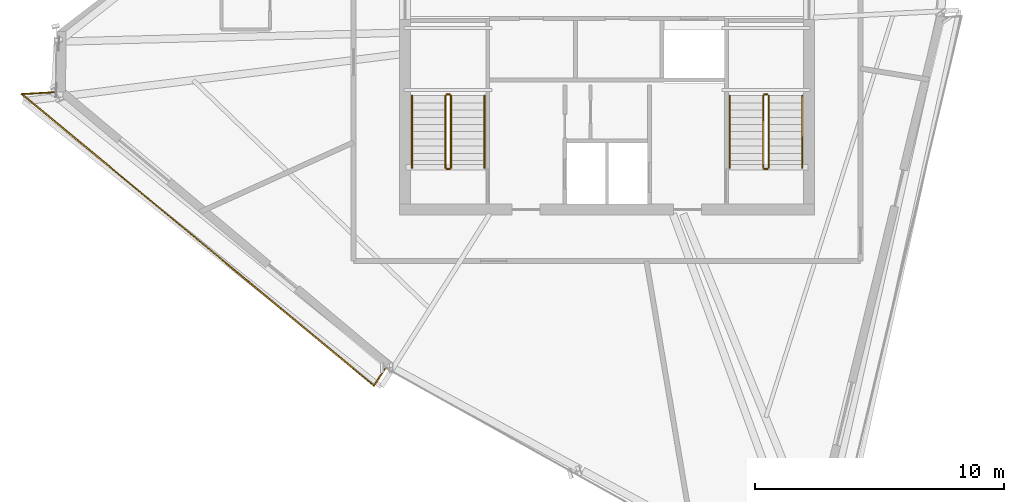
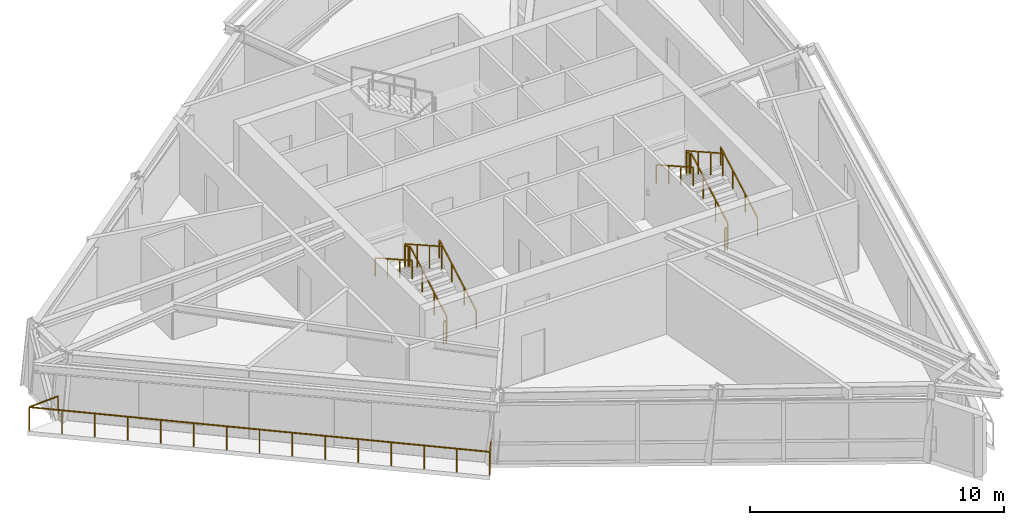
# One storey, part 11 of 13: 13 railings.
"""IFC4 building model written with IfcOpenShell, lengths in metres."""

from ifc_helpers import new_model, si_unit, direction, frame, origin, origin_2d, place, context, subcontext, project, spatial, rectangle, extrude, material, type_object, element, save


model = new_model("IFC4")

# Units and contexts
model_context = context("Model", 3, precision=1e-05, world=origin(), true_north=direction((0.0, 1.0)))
body_context = subcontext(model_context, "Body", "Model", "MODEL_VIEW")
ifc_project = project(units=[si_unit("LENGTHUNIT", "METRE"), si_unit("AREAUNIT", "SQUARE_METRE"), si_unit("VOLUMEUNIT", "CUBIC_METRE"), si_unit("PLANEANGLEUNIT", "RADIAN"), si_unit("MASSUNIT", "GRAM", prefix="KILO")], contexts=[model_context])

# Site, building, storey
site_placement = place(None, origin())
site = spatial("IfcSite", under=ifc_project, at=site_placement, CompositionType="ELEMENT")
building_placement = place(site_placement, origin())
building = spatial("IfcBuilding", under=site, at=building_placement, Name="Olszyna Solenne Hotel", CompositionType="ELEMENT")
storey_placement = place(building_placement, frame((0.0, 0.0, 266.89990234375)))
storey = spatial("IfcBuildingStorey", under=building, at=storey_placement, Name="L71", CompositionType="ELEMENT", Elevation=266.89990234375)

# Railings
ifc_material_1 = material(Name="Anodised bronze aluminium", Category="aluminium")
railing_type_1 = type_object("IfcRailingType", Name="GR-110", PredefinedType="BALUSTRADE", material=ifc_material_1)
railing_1_placement = place(storey_placement, frame((15.831298828125, 23.994140625, 0.0)))
element("IfcRailing", 1, at=railing_1_placement, inside=storey, type_object=railing_type_1, Name="Loggia balcony balustrade guard GR-L71-LG2", PredefinedType="BALUSTRADE", context=body_context, shape_type="SweptSolid", body=[
    extrude(rectangle(XDim=0.048095703125, YDim=0.048095703125, at=origin_2d()), frame((0.0, 0.0, 1.1259765625), z_axis=(-0.998374213814, -0.056999378874, 0.0), x_axis=(0.056999378874, -0.998374213814, 0.0)), (0.0, 0.0, 1.0), 1.379150390625),
    extrude(rectangle(XDim=0.048095703125, YDim=0.048095703125, at=origin_2d()), frame((-1.376953125, -0.07861328125, 1.1259765625), z_axis=(0.770383756636, -0.637580479243, 0.0), x_axis=(0.637580479243, 0.770383756636, 0.0)), (0.0, 0.0, 1.0), 18.396484375),
    extrude(rectangle(XDim=0.048095703125, YDim=0.048095703125, at=origin_2d()), frame((12.79541015625, -11.807861328125, 1.1259765625), z_axis=(0.542856328995, 0.839825580743, 0.0), x_axis=(-0.839825580743, 0.542856328995, 0.0)), (0.0, 0.0, 1.0), 0.845947265625),
    extrude(rectangle(XDim=0.0419921875, YDim=0.0419921875, at=origin_2d()), origin(), (0.0, 0.0, 1.0), 1.101806640625),
    extrude(rectangle(XDim=0.0419921875, YDim=0.0419921875, at=origin_2d()), frame((-1.376953125, -0.07861328125, 0.0)), (0.0, 0.0, 1.0), 1.101806640625),
    extrude(rectangle(XDim=0.0419921875, YDim=0.0419921875, at=origin_2d()), frame((-0.36474609375, -0.91650390625, 0.0)), (0.0, 0.0, 1.0), 1.101806640625),
    extrude(rectangle(XDim=0.0419921875, YDim=0.0419921875, at=origin_2d()), frame((0.647705078125, -1.754150390625, 0.0)), (0.0, 0.0, 1.0), 1.101806640625),
    extrude(rectangle(XDim=0.0419921875, YDim=0.0419921875, at=origin_2d()), frame((1.659912109375, -2.592041015625, 0.0)), (0.0, 0.0, 1.0), 1.101806640625),
    extrude(rectangle(XDim=0.0419921875, YDim=0.0419921875, at=origin_2d()), frame((2.67236328125, -3.429931640625, 0.0)), (0.0, 0.0, 1.0), 1.101806640625),
    extrude(rectangle(XDim=0.0419921875, YDim=0.0419921875, at=origin_2d()), frame((3.6845703125, -4.267578125, 0.0)), (0.0, 0.0, 1.0), 1.101806640625),
    extrude(rectangle(XDim=0.0419921875, YDim=0.0419921875, at=origin_2d()), frame((4.697021484375, -5.10546875, 0.0)), (0.0, 0.0, 1.0), 1.101806640625),
    extrude(rectangle(XDim=0.0419921875, YDim=0.0419921875, at=origin_2d()), frame((5.709228515625, -5.943359375, 0.0)), (0.0, 0.0, 1.0), 1.101806640625),
    extrude(rectangle(XDim=0.0419921875, YDim=0.0419921875, at=origin_2d()), frame((6.721435546875, -6.781005859375, 0.0)), (0.0, 0.0, 1.0), 1.101806640625),
    extrude(rectangle(XDim=0.0419921875, YDim=0.0419921875, at=origin_2d()), frame((7.73388671875, -7.618896484375, 0.0)), (0.0, 0.0, 1.0), 1.101806640625),
    extrude(rectangle(XDim=0.0419921875, YDim=0.0419921875, at=origin_2d()), frame((8.74609375, -8.45654296875, 0.0)), (0.0, 0.0, 1.0), 1.101806640625),
    extrude(rectangle(XDim=0.0419921875, YDim=0.0419921875, at=origin_2d()), frame((9.758544921875, -9.29443359375, 0.0)), (0.0, 0.0, 1.0), 1.101806640625),
    extrude(rectangle(XDim=0.0419921875, YDim=0.0419921875, at=origin_2d()), frame((10.770751953125, -10.13232421875, 0.0)), (0.0, 0.0, 1.0), 1.101806640625),
    extrude(rectangle(XDim=0.0419921875, YDim=0.0419921875, at=origin_2d()), frame((11.783203125, -10.969970703125, 0.0)), (0.0, 0.0, 1.0), 1.101806640625),
    extrude(rectangle(XDim=0.0419921875, YDim=0.0419921875, at=origin_2d()), frame((12.79541015625, -11.807861328125, 0.0)), (0.0, 0.0, 1.0), 1.101806640625),
    extrude(rectangle(XDim=0.0419921875, YDim=0.0419921875, at=origin_2d()), frame((13.254638671875, -11.097412109375, 0.0)), (0.0, 0.0, 1.0), 1.101806640625),
])
railing_2_placement = place(storey_placement, frame((31.719970703125, 20.949951171875, 0.163818359375)))
element("IfcRailing", 2, at=railing_2_placement, inside=storey, type_object=railing_type_1, Name="L71 ST1 stair guard 1", PredefinedType="BALUSTRADE", context=body_context, shape_type="SweptSolid", body=[
    extrude(rectangle(XDim=0.048095703125, YDim=0.048095703125, at=origin_2d()), frame((0.0, 0.0, 1.076171875), z_axis=(0.0, 0.870946286338, 0.49137823142), x_axis=(-1.0, 0.0, 0.0)), (0.0, 0.0, 1.0), 3.329833984375),
    extrude(rectangle(XDim=0.0419921875, YDim=0.0419921875, at=origin_2d()), origin(), (0.0, 0.0, 1.0), 1.052001953125),
    extrude(rectangle(XDim=0.0419921875, YDim=0.0419921875, at=origin_2d()), frame((0.0, 0.966796875, 0.54541015625)), (0.0, 0.0, 1.0), 1.052001953125),
    extrude(rectangle(XDim=0.0419921875, YDim=0.0419921875, at=origin_2d()), frame((0.0, 1.933349609375, 1.0908203125)), (0.0, 0.0, 1.0), 1.052001953125),
    extrude(rectangle(XDim=0.0419921875, YDim=0.0419921875, at=origin_2d()), frame((0.0, 2.900146484375, 1.63623046875)), (0.0, 0.0, 1.0), 1.052001953125),
])
railing_3_placement = place(storey_placement, frame((31.669921875, 23.89990234375, 1.800048828125)))
element("IfcRailing", 3, at=railing_3_placement, inside=storey, type_object=railing_type_1, Name="L71 ST1 stair guard 2", PredefinedType="BALUSTRADE", context=body_context, shape_type="SweptSolid", body=[
    extrude(rectangle(XDim=0.048095703125, YDim=0.048095703125, at=origin_2d()), frame((0.0, 0.0, 1.076171875), z_axis=(-1.0, 0.0, 0.0), x_axis=(0.0, -1.0, 0.0)), (0.0, 0.0, 1.0), 0.119873046875),
    extrude(rectangle(XDim=0.0419921875, YDim=0.0419921875, at=origin_2d()), origin(), (0.0, 0.0, 1.0), 1.052001953125),
    extrude(rectangle(XDim=0.0419921875, YDim=0.0419921875, at=origin_2d()), frame((-0.119873046875, 0.0, 0.0)), (0.0, 0.0, 1.0), 1.052001953125),
])
railing_4_placement = place(storey_placement, frame((31.5, 23.85009765625, 1.963623046875)))
element("IfcRailing", 4, at=railing_4_placement, inside=storey, type_object=railing_type_1, Name="L71 ST1 stair guard 3", PredefinedType="BALUSTRADE", context=body_context, shape_type="SweptSolid", body=[
    extrude(rectangle(XDim=0.048095703125, YDim=0.048095703125, at=origin_2d()), frame((0.0, 0.0, 1.076171875), z_axis=(0.0, -0.870914908162, 0.491433843708), x_axis=(1.0, 0.0, 0.0)), (0.0, 0.0, 1.0), 3.330078125),
    extrude(rectangle(XDim=0.0419921875, YDim=0.0419921875, at=origin_2d()), origin(), (0.0, 0.0, 1.0), 1.052001953125),
    extrude(rectangle(XDim=0.0419921875, YDim=0.0419921875, at=origin_2d()), frame((0.0, -0.966796875, 0.54541015625)), (0.0, 0.0, 1.0), 1.052001953125),
    extrude(rectangle(XDim=0.0419921875, YDim=0.0419921875, at=origin_2d()), frame((0.0, -1.933349609375, 1.091064453125)), (0.0, 0.0, 1.0), 1.052001953125),
    extrude(rectangle(XDim=0.0419921875, YDim=0.0419921875, at=origin_2d()), frame((0.0, -2.900146484375, 1.636474609375)), (0.0, 0.0, 1.0), 1.052001953125),
])
railing_5_placement = place(storey_placement, frame((31.669921875, 20.89990234375, 0.0)))
element("IfcRailing", 5, at=railing_5_placement, inside=storey, type_object=railing_type_1, Name="L71 ST1 stair guard 4", PredefinedType="BALUSTRADE", context=body_context, shape_type="SweptSolid", body=[
    extrude(rectangle(XDim=0.048095703125, YDim=0.048095703125, at=origin_2d()), frame((0.0, 0.0, 1.076171875), z_axis=(-1.0, 0.0, 0.0), x_axis=(0.0, -1.0, 0.0)), (0.0, 0.0, 1.0), 0.119873046875),
    extrude(rectangle(XDim=0.0419921875, YDim=0.0419921875, at=origin_2d()), origin(), (0.0, 0.0, 1.0), 1.052001953125),
    extrude(rectangle(XDim=0.0419921875, YDim=0.0419921875, at=origin_2d()), frame((-0.119873046875, 0.0, 0.0)), (0.0, 0.0, 1.0), 1.052001953125),
])
railing_6_placement = place(storey_placement, frame((44.5, 20.949951171875, 0.163818359375)))
element("IfcRailing", 6, at=railing_6_placement, inside=storey, type_object=railing_type_1, Name="L71 ST2 stair guard 1", PredefinedType="BALUSTRADE", context=body_context, shape_type="SweptSolid", body=[
    extrude(rectangle(XDim=0.048095703125, YDim=0.048095703125, at=origin_2d()), frame((0.0, 0.0, 1.076171875), z_axis=(0.0, 0.870946286338, 0.49137823142), x_axis=(-1.0, 0.0, 0.0)), (0.0, 0.0, 1.0), 3.329833984375),
    extrude(rectangle(XDim=0.0419921875, YDim=0.0419921875, at=origin_2d()), origin(), (0.0, 0.0, 1.0), 1.052001953125),
    extrude(rectangle(XDim=0.0419921875, YDim=0.0419921875, at=origin_2d()), frame((0.0, 0.966796875, 0.54541015625)), (0.0, 0.0, 1.0), 1.052001953125),
    extrude(rectangle(XDim=0.0419921875, YDim=0.0419921875, at=origin_2d()), frame((0.0, 1.933349609375, 1.0908203125)), (0.0, 0.0, 1.0), 1.052001953125),
    extrude(rectangle(XDim=0.0419921875, YDim=0.0419921875, at=origin_2d()), frame((0.0, 2.900146484375, 1.63623046875)), (0.0, 0.0, 1.0), 1.052001953125),
])
railing_7_placement = place(storey_placement, frame((44.449951171875, 23.89990234375, 1.800048828125)))
element("IfcRailing", 7, at=railing_7_placement, inside=storey, type_object=railing_type_1, Name="L71 ST2 stair guard 2", PredefinedType="BALUSTRADE", context=body_context, shape_type="SweptSolid", body=[
    extrude(rectangle(XDim=0.048095703125, YDim=0.048095703125, at=origin_2d()), frame((0.0, 0.0, 1.076171875), z_axis=(-1.0, 0.0, 0.0), x_axis=(0.0, -1.0, 0.0)), (0.0, 0.0, 1.0), 0.119873046875),
    extrude(rectangle(XDim=0.0419921875, YDim=0.0419921875, at=origin_2d()), origin(), (0.0, 0.0, 1.0), 1.052001953125),
    extrude(rectangle(XDim=0.0419921875, YDim=0.0419921875, at=origin_2d()), frame((-0.119873046875, 0.0, 0.0)), (0.0, 0.0, 1.0), 1.052001953125),
])
railing_8_placement = place(storey_placement, frame((44.280029296875, 23.85009765625, 1.963623046875)))
element("IfcRailing", 8, at=railing_8_placement, inside=storey, type_object=railing_type_1, Name="L71 ST2 stair guard 3", PredefinedType="BALUSTRADE", context=body_context, shape_type="SweptSolid", body=[
    extrude(rectangle(XDim=0.048095703125, YDim=0.048095703125, at=origin_2d()), frame((0.0, 0.0, 1.076171875), z_axis=(0.0, -0.870914908162, 0.491433843708), x_axis=(1.0, 0.0, 0.0)), (0.0, 0.0, 1.0), 3.330078125),
    extrude(rectangle(XDim=0.0419921875, YDim=0.0419921875, at=origin_2d()), origin(), (0.0, 0.0, 1.0), 1.052001953125),
    extrude(rectangle(XDim=0.0419921875, YDim=0.0419921875, at=origin_2d()), frame((0.0, -0.966796875, 0.54541015625)), (0.0, 0.0, 1.0), 1.052001953125),
    extrude(rectangle(XDim=0.0419921875, YDim=0.0419921875, at=origin_2d()), frame((0.0, -1.933349609375, 1.091064453125)), (0.0, 0.0, 1.0), 1.052001953125),
    extrude(rectangle(XDim=0.0419921875, YDim=0.0419921875, at=origin_2d()), frame((0.0, -2.900146484375, 1.636474609375)), (0.0, 0.0, 1.0), 1.052001953125),
])
railing_9_placement = place(storey_placement, frame((44.449951171875, 20.89990234375, 0.0)))
element("IfcRailing", 9, at=railing_9_placement, inside=storey, type_object=railing_type_1, Name="L71 ST2 stair guard 4", PredefinedType="BALUSTRADE", context=body_context, shape_type="SweptSolid", body=[
    extrude(rectangle(XDim=0.048095703125, YDim=0.048095703125, at=origin_2d()), frame((0.0, 0.0, 1.076171875), z_axis=(-1.0, 0.0, 0.0), x_axis=(0.0, -1.0, 0.0)), (0.0, 0.0, 1.0), 0.119873046875),
    extrude(rectangle(XDim=0.0419921875, YDim=0.0419921875, at=origin_2d()), origin(), (0.0, 0.0, 1.0), 1.052001953125),
    extrude(rectangle(XDim=0.0419921875, YDim=0.0419921875, at=origin_2d()), frame((-0.119873046875, 0.0, 0.0)), (0.0, 0.0, 1.0), 1.052001953125),
])
ifc_material_2 = material(Name="Steel S355J2", Category="steel")
railing_type_2 = type_object("IfcRailingType", Name="HR-090", PredefinedType="HANDRAIL", material=ifc_material_2)
railing_10_placement = place(storey_placement, frame((33.070068359375, 20.949951171875, 0.163818359375)))
element("IfcRailing", 10, at=railing_10_placement, inside=storey, type_object=railing_type_2, Name="L71 ST1 stair handrail 1", PredefinedType="HANDRAIL", context=body_context, shape_type="SweptSolid", body=[
    extrude(rectangle(XDim=0.048095703125, YDim=0.048095703125, at=origin_2d()), frame((0.0, 0.0, 0.8759765625), z_axis=(0.0, 0.870946286338, 0.49137823142), x_axis=(-1.0, 0.0, 0.0)), (0.0, 0.0, 1.0), 3.329833984375),
    extrude(rectangle(XDim=0.0419921875, YDim=0.0419921875, at=origin_2d()), origin(), (0.0, 0.0, 1.0), 0.851806640625),
    extrude(rectangle(XDim=0.0419921875, YDim=0.0419921875, at=origin_2d()), frame((0.0, 0.966796875, 0.54541015625)), (0.0, 0.0, 1.0), 0.851806640625),
    extrude(rectangle(XDim=0.0419921875, YDim=0.0419921875, at=origin_2d()), frame((0.0, 1.933349609375, 1.0908203125)), (0.0, 0.0, 1.0), 0.851806640625),
    extrude(rectangle(XDim=0.0419921875, YDim=0.0419921875, at=origin_2d()), frame((0.0, 2.900146484375, 1.63623046875)), (0.0, 0.0, 1.0), 0.851806640625),
])
railing_11_placement = place(storey_placement, frame((30.14990234375, 23.85009765625, 1.963623046875)))
element("IfcRailing", 11, at=railing_11_placement, inside=storey, type_object=railing_type_2, Name="L71 ST1 stair handrail 2", PredefinedType="HANDRAIL", context=body_context, shape_type="SweptSolid", body=[
    extrude(rectangle(XDim=0.048095703125, YDim=0.048095703125, at=origin_2d()), frame((0.0, 0.0, 0.8759765625), z_axis=(0.0, -0.870914908162, 0.491433843708), x_axis=(1.0, 0.0, 0.0)), (0.0, 0.0, 1.0), 3.330078125),
    extrude(rectangle(XDim=0.0419921875, YDim=0.0419921875, at=origin_2d()), origin(), (0.0, 0.0, 1.0), 0.851806640625),
    extrude(rectangle(XDim=0.0419921875, YDim=0.0419921875, at=origin_2d()), frame((0.0, -0.966796875, 0.54541015625)), (0.0, 0.0, 1.0), 0.851806640625),
    extrude(rectangle(XDim=0.0419921875, YDim=0.0419921875, at=origin_2d()), frame((0.0, -1.933349609375, 1.091064453125)), (0.0, 0.0, 1.0), 0.851806640625),
    extrude(rectangle(XDim=0.0419921875, YDim=0.0419921875, at=origin_2d()), frame((0.0, -2.900146484375, 1.636474609375)), (0.0, 0.0, 1.0), 0.851806640625),
])
railing_12_placement = place(storey_placement, frame((45.85009765625, 20.949951171875, 0.163818359375)))
element("IfcRailing", 12, at=railing_12_placement, inside=storey, type_object=railing_type_2, Name="L71 ST2 stair handrail 1", PredefinedType="HANDRAIL", context=body_context, shape_type="SweptSolid", body=[
    extrude(rectangle(XDim=0.048095703125, YDim=0.048095703125, at=origin_2d()), frame((0.0, 0.0, 0.8759765625), z_axis=(0.0, 0.870946286338, 0.49137823142), x_axis=(-1.0, 0.0, 0.0)), (0.0, 0.0, 1.0), 3.329833984375),
    extrude(rectangle(XDim=0.0419921875, YDim=0.0419921875, at=origin_2d()), origin(), (0.0, 0.0, 1.0), 0.851806640625),
    extrude(rectangle(XDim=0.0419921875, YDim=0.0419921875, at=origin_2d()), frame((0.0, 0.966796875, 0.54541015625)), (0.0, 0.0, 1.0), 0.851806640625),
    extrude(rectangle(XDim=0.0419921875, YDim=0.0419921875, at=origin_2d()), frame((0.0, 1.933349609375, 1.0908203125)), (0.0, 0.0, 1.0), 0.851806640625),
    extrude(rectangle(XDim=0.0419921875, YDim=0.0419921875, at=origin_2d()), frame((0.0, 2.900146484375, 1.63623046875)), (0.0, 0.0, 1.0), 0.851806640625),
])
railing_13_placement = place(storey_placement, frame((42.929931640625, 23.85009765625, 1.963623046875)))
element("IfcRailing", 13, at=railing_13_placement, inside=storey, type_object=railing_type_2, Name="L71 ST2 stair handrail 2", PredefinedType="HANDRAIL", context=body_context, shape_type="SweptSolid", body=[
    extrude(rectangle(XDim=0.048095703125, YDim=0.048095703125, at=origin_2d()), frame((0.0, 0.0, 0.8759765625), z_axis=(0.0, -0.870914908162, 0.491433843708), x_axis=(1.0, 0.0, 0.0)), (0.0, 0.0, 1.0), 3.330078125),
    extrude(rectangle(XDim=0.0419921875, YDim=0.0419921875, at=origin_2d()), origin(), (0.0, 0.0, 1.0), 0.851806640625),
    extrude(rectangle(XDim=0.0419921875, YDim=0.0419921875, at=origin_2d()), frame((0.0, -0.966796875, 0.54541015625)), (0.0, 0.0, 1.0), 0.851806640625),
    extrude(rectangle(XDim=0.0419921875, YDim=0.0419921875, at=origin_2d()), frame((0.0, -1.933349609375, 1.091064453125)), (0.0, 0.0, 1.0), 0.851806640625),
    extrude(rectangle(XDim=0.0419921875, YDim=0.0419921875, at=origin_2d()), frame((0.0, -2.900146484375, 1.636474609375)), (0.0, 0.0, 1.0), 0.851806640625),
])

save(model, "model.ifc")
